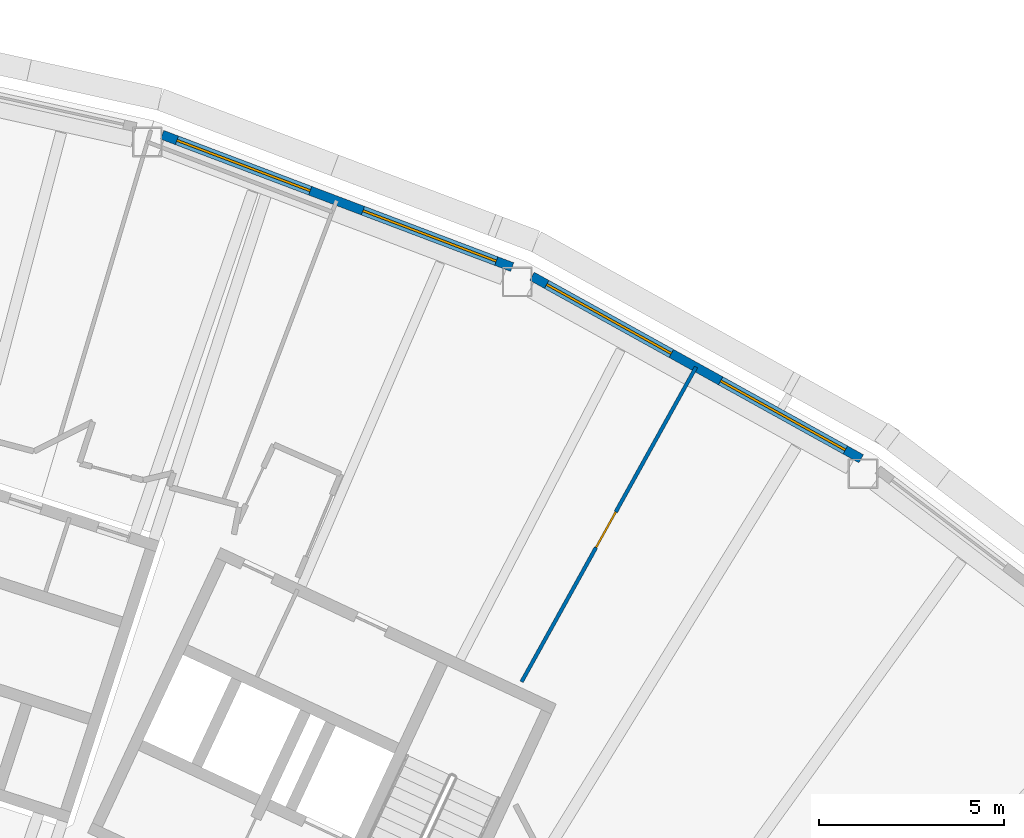
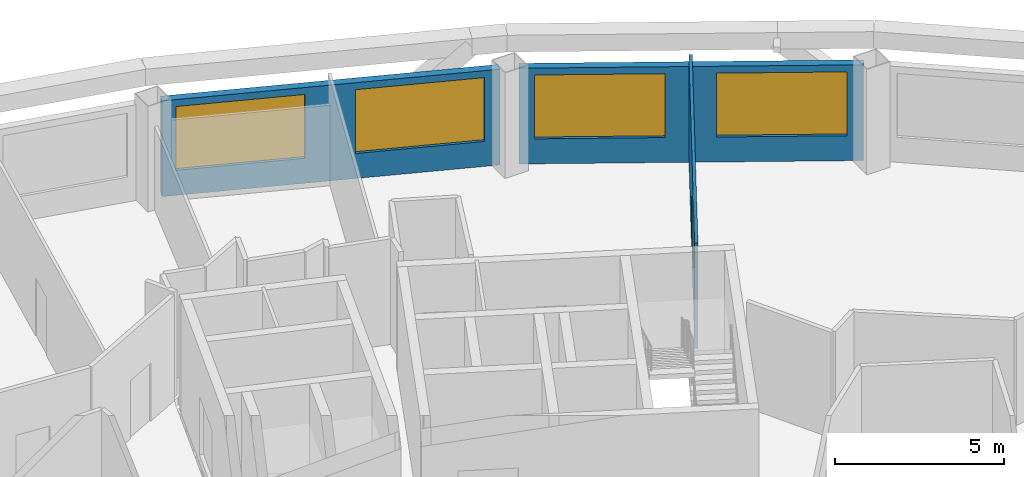
# One storey, part 11 of 18: 4 windows, 3 walls, 1 door, 5 openings.
"""IFC4 building model written with IfcOpenShell, lengths in metres."""

from ifc_helpers import new_model, si_unit, direction, frame, frame_2d, origin, place, context, subcontext, project, spatial, rectangle, extrude, material, layer, layer_set, type_object, element, fill, save


model = new_model("IFC4")

# Units and contexts
model_context = context("Model", 3, precision=1e-05, world=origin(), true_north=direction((0.0, 1.0)))
body_context = subcontext(model_context, "Body", "Model", "MODEL_VIEW")
ifc_project = project(units=[si_unit("LENGTHUNIT", "METRE"), si_unit("AREAUNIT", "SQUARE_METRE"), si_unit("VOLUMEUNIT", "CUBIC_METRE"), si_unit("PLANEANGLEUNIT", "RADIAN"), si_unit("MASSUNIT", "GRAM", prefix="KILO")], contexts=[model_context])

# Site, building, storey
site_placement = place(None, origin())
site = spatial("IfcSite", under=ifc_project, at=site_placement, CompositionType="ELEMENT")
building_placement = place(site_placement, origin())
building = spatial("IfcBuilding", under=site, at=building_placement, Name="Tuul Gate Civic Tower", CompositionType="ELEMENT")
storey_placement = place(building_placement, frame((0.0, 0.0, 234.699951171875)))
storey = spatial("IfcBuildingStorey", under=building, at=storey_placement, Name="Level 53", CompositionType="ELEMENT", Elevation=234.699951171875)

# Wall, openings, windows
ifc_material_1 = material(Name="Precast concrete C40/50", Category="concrete")
ifc_layer_1 = layer(ifc_material_1, 0.25)
ifc_layer_set_1 = layer_set([ifc_layer_1], Name="Precast concrete C40/50")
wall_type_1 = type_object("IfcWallType", Name="External wall", PredefinedType="STANDARD", material=ifc_layer_set_1)
wall_1_placement = place(storey_placement, frame((46.29150390625, 6.943115234375, 0.0), z_axis=(0.0, 0.0, 1.0), x_axis=(-0.874637325851, 0.484777833887, 0.0)))
wall_1 = element("IfcWall", 1, at=wall_1_placement, inside=storey, type_object=wall_type_1, Name="External wall", PredefinedType="STANDARD", context=body_context, shape_type="SweptSolid", body=[
    extrude(rectangle(XDim=10.162353515625, YDim=0.25, at=frame_2d((5.0810546875, 0.0))), origin(), (0.0, 0.0, 1.0), 3.449951171875),
])
opening_1_placement = place(wall_1_placement, frame((0.48974609375, 0.0, 0.89990234375)))
opening_1 = element("IfcOpeningElement", 2, at=opening_1_placement, cuts=wall_1, Name="Opening W22", PredefinedType="OPENING", context=body_context, shape_type="SweptSolid", body=[
    extrude(rectangle(XDim=3.85009765625, YDim=2.300048828125, at=frame_2d((1.925048828125, 1.14990234375))), frame((0.0, 0.135009765625, 0.0), z_axis=(0.0, -1.0, 0.0), x_axis=(1.0, 0.0, 0.0)), (0.0, 0.0, 1.0), 0.27001953125),
])
opening_2_placement = place(wall_1_placement, frame((5.861328125, 0.0, 0.89990234375)))
opening_2 = element("IfcOpeningElement", 3, at=opening_2_placement, cuts=wall_1, Name="Opening W22", PredefinedType="OPENING", context=body_context, shape_type="SweptSolid", body=[
    extrude(rectangle(XDim=3.85009765625, YDim=2.300048828125, at=frame_2d((1.925048828125, 1.14990234375))), frame((0.0, 0.135009765625, 0.0), z_axis=(0.0, -1.0, 0.0), x_axis=(1.0, 0.0, 0.0)), (0.0, 0.0, 1.0), 0.27001953125),
])
ifc_material_2 = material(Name="Glass", Category="glass")
window_type = type_object("IfcWindowType", Name="Window W22 3850 x 2300", PartitioningType="SINGLE_PANEL", PredefinedType="WINDOW", material=ifc_material_2)
window_1_placement = place(opening_1_placement, origin())
window_1 = element("IfcWindow", 4, at=window_1_placement, inside=storey, type_object=window_type, Name="Window", OverallHeight=2.300048828125, OverallWidth=3.85009765625, PartitioningType="SINGLE_PANEL", PredefinedType="WINDOW", context=body_context, shape_type="SweptSolid", body=[
    extrude(rectangle(XDim=3.85009765625, YDim=2.300048828125, at=frame_2d((1.925048828125, 1.14990234375))), frame((0.0, 0.030029296875, 0.0), z_axis=(0.0, -1.0, 0.0), x_axis=(1.0, 0.0, 0.0)), (0.0, 0.0, 1.0), 0.06005859375),
])
fill(opening_1, window_1)
window_2_placement = place(opening_2_placement, origin())
window_2 = element("IfcWindow", 5, at=window_2_placement, inside=storey, type_object=window_type, Name="Window", OverallHeight=2.300048828125, OverallWidth=3.85009765625, PartitioningType="SINGLE_PANEL", PredefinedType="WINDOW", context=body_context, shape_type="SweptSolid", body=[
    extrude(rectangle(XDim=3.85009765625, YDim=2.300048828125, at=frame_2d((1.925048828125, 1.14990234375))), frame((0.0, 0.030029296875, 0.0), z_axis=(0.0, -1.0, 0.0), x_axis=(1.0, 0.0, 0.0)), (0.0, 0.0, 1.0), 0.06005859375),
])
fill(opening_2, window_2)

wall_2_placement = place(storey_placement, frame((36.865966796875, 12.118896484375, 0.0), z_axis=(0.0, 0.0, 1.0), x_axis=(-0.935373348384, 0.353661842912, 0.0)))
wall_2 = element("IfcWall", 6, at=wall_2_placement, inside=storey, type_object=wall_type_1, Name="External wall", PredefinedType="STANDARD", context=body_context, shape_type="SweptSolid", body=[
    extrude(rectangle(XDim=10.102783203125, YDim=0.25, at=frame_2d((5.05126953125, 0.0))), origin(), (0.0, 0.0, 1.0), 3.449951171875),
])
opening_3_placement = place(wall_2_placement, frame((0.458251953125, 0.0, 0.89990234375)))
opening_3 = element("IfcOpeningElement", 7, at=opening_3_placement, cuts=wall_2, Name="Opening W22", PredefinedType="OPENING", context=body_context, shape_type="SweptSolid", body=[
    extrude(rectangle(XDim=3.85009765625, YDim=2.300048828125, at=frame_2d((1.925048828125, 1.14990234375))), frame((0.0, 0.135009765625, 0.0), z_axis=(0.0, -1.0, 0.0), x_axis=(1.0, 0.0, 0.0)), (0.0, 0.0, 1.0), 0.27001953125),
])
opening_4_placement = place(wall_2_placement, frame((5.829345703125, 0.0, 0.89990234375)))
opening_4 = element("IfcOpeningElement", 8, at=opening_4_placement, cuts=wall_2, Name="Opening W22", PredefinedType="OPENING", context=body_context, shape_type="SweptSolid", body=[
    extrude(rectangle(XDim=3.85009765625, YDim=2.300048828125, at=frame_2d((1.925048828125, 1.14990234375))), frame((0.0, 0.135009765625, 0.0), z_axis=(0.0, -1.0, 0.0), x_axis=(1.0, 0.0, 0.0)), (0.0, 0.0, 1.0), 0.27001953125),
])
window_3_placement = place(opening_3_placement, origin())
window_3 = element("IfcWindow", 9, at=window_3_placement, inside=storey, type_object=window_type, Name="Window", OverallHeight=2.300048828125, OverallWidth=3.85009765625, PartitioningType="SINGLE_PANEL", PredefinedType="WINDOW", context=body_context, shape_type="SweptSolid", body=[
    extrude(rectangle(XDim=3.85009765625, YDim=2.300048828125, at=frame_2d((1.925048828125, 1.14990234375))), frame((0.0, 0.030029296875, 0.0), z_axis=(0.0, -1.0, 0.0), x_axis=(1.0, 0.0, 0.0)), (0.0, 0.0, 1.0), 0.06005859375),
])
fill(opening_3, window_3)
window_4_placement = place(opening_4_placement, origin())
window_4 = element("IfcWindow", 10, at=window_4_placement, inside=storey, type_object=window_type, Name="Window", OverallHeight=2.300048828125, OverallWidth=3.85009765625, PartitioningType="SINGLE_PANEL", PredefinedType="WINDOW", context=body_context, shape_type="SweptSolid", body=[
    extrude(rectangle(XDim=3.85009765625, YDim=2.300048828125, at=frame_2d((1.925048828125, 1.14990234375))), frame((0.0, 0.030029296875, 0.0), z_axis=(0.0, -1.0, 0.0), x_axis=(1.0, 0.0, 0.0)), (0.0, 0.0, 1.0), 0.06005859375),
])
fill(opening_4, window_4)

# Wall, opening, door
ifc_material_3 = material(Name="Gypsum board partition")
ifc_layer_2 = layer(ifc_material_3, 0.10009765625)
ifc_layer_set_2 = layer_set([ifc_layer_2], Name="Gypsum board partition")
wall_type_2 = type_object("IfcWallType", Name="Partition P100", PredefinedType="PARTITIONING", material=ifc_layer_set_2)
wall_3_placement = place(storey_placement, frame((37.12109375, 0.919921875, 0.0), z_axis=(0.0, 0.0, 1.0), x_axis=(0.484832219847, 0.874607179595, 0.0)))
wall_3 = element("IfcWall", 11, at=wall_3_placement, inside=storey, type_object=wall_type_2, Name="p009", PredefinedType="PARTITIONING", context=body_context, shape_type="SweptSolid", body=[
    extrude(rectangle(XDim=9.71875, YDim=0.10009765625, at=frame_2d((4.859375, 0.0))), origin(), (0.0, 0.0, 1.0), 3.800048828125),
])
opening_5_placement = place(wall_3_placement, frame((4.144287109375, 0.0, 0.0)))
opening_5 = element("IfcOpeningElement", 12, at=opening_5_placement, cuts=wall_3, Name="Opening S-D20", PredefinedType="OPENING", context=body_context, shape_type="SweptSolid", body=[
    extrude(rectangle(XDim=1.10009765625, YDim=2.10009765625, at=frame_2d((0.550048828125, 1.050048828125))), frame((0.0, 0.06005859375, 0.0), z_axis=(0.0, -1.0, 0.0), x_axis=(1.0, 0.0, 0.0)), (0.0, 0.0, 1.0), 0.1201171875),
])
ifc_material_4 = material(Name="Timber door leaf", Category="wood")
door_type = type_object("IfcDoorType", Name="Door D11", OperationType="NOTDEFINED", PredefinedType="DOOR", material=ifc_material_4)
door_placement = place(opening_5_placement, origin())
door = element("IfcDoor", 13, at=door_placement, inside=storey, type_object=door_type, Name="Door S-D20", OperationType="SINGLE_SWING_RIGHT", OverallHeight=2.10009765625, OverallWidth=1.10009765625, PredefinedType="DOOR", context=body_context, shape_type="SweptSolid", body=[
    extrude(rectangle(XDim=1.10009765625, YDim=2.10009765625, at=frame_2d((0.550048828125, 1.050048828125))), frame((0.0, 0.02490234375, 0.0), z_axis=(0.0, -1.0, 0.0), x_axis=(1.0, 0.0, 0.0)), (0.0, 0.0, 1.0), 0.050048828125),
])
fill(opening_5, door)

save(model, "model.ifc")
